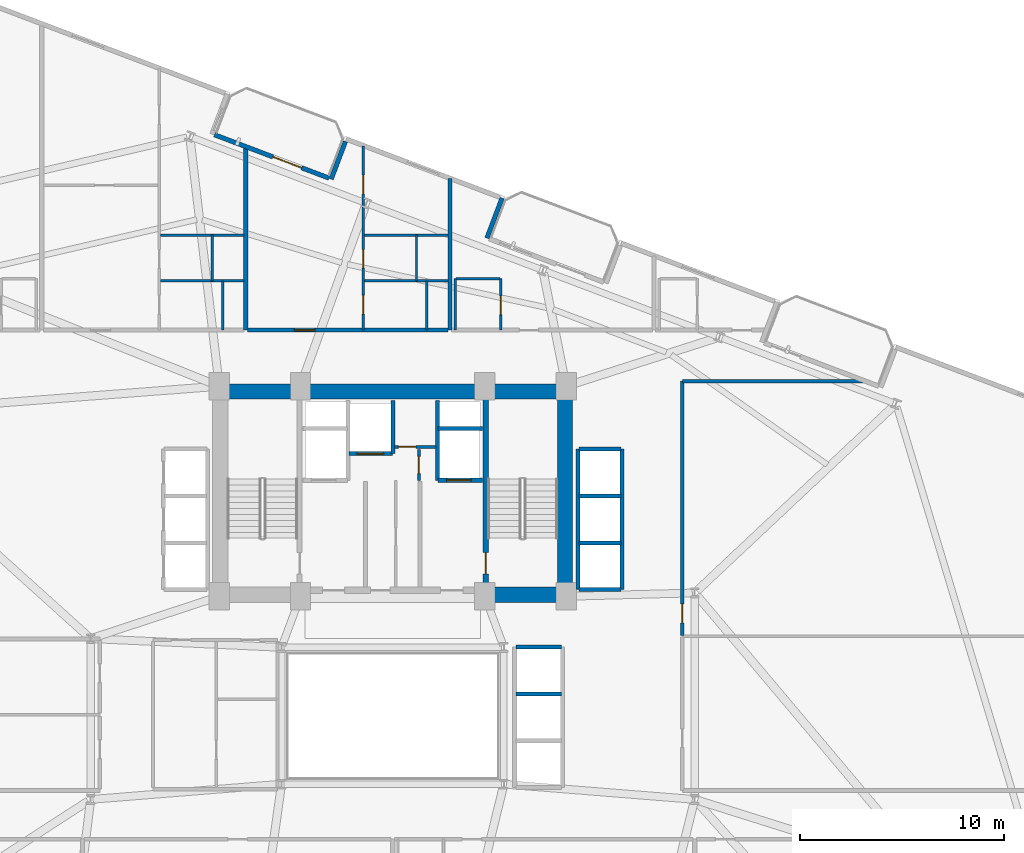
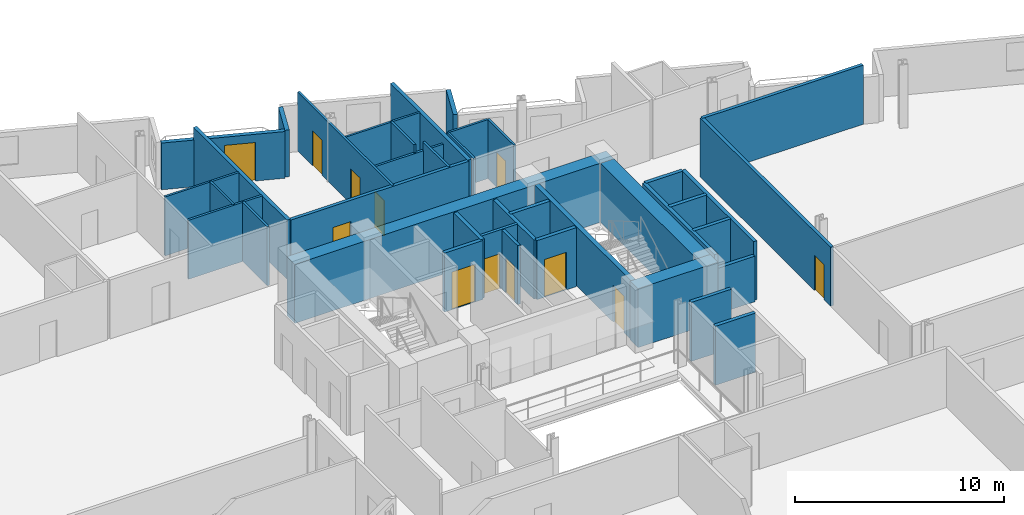
# One storey, part 19 of 24: 39 walls, 12 doors, 12 openings.
"""IFC4 building model written with IfcOpenShell, lengths in metres."""

from ifc_helpers import new_model, si_unit, direction, frame, frame_2d, origin, place, context, subcontext, project, spatial, rectangle, extrude, material, layer, layer_set, type_object, element, fill, save


model = new_model("IFC4")

# Units and contexts
model_context = context("Model", 3, precision=1e-05, world=origin(), true_north=direction((0.0, 1.0)))
body_context = subcontext(model_context, "Body", "Model", "MODEL_VIEW")
ifc_project = project(units=[si_unit("LENGTHUNIT", "METRE"), si_unit("AREAUNIT", "SQUARE_METRE"), si_unit("VOLUMEUNIT", "CUBIC_METRE"), si_unit("PLANEANGLEUNIT", "RADIAN"), si_unit("MASSUNIT", "GRAM", prefix="KILO")], contexts=[model_context])

# Site, building, storey
site_placement = place(None, origin())
site = spatial("IfcSite", under=ifc_project, at=site_placement, CompositionType="ELEMENT")
building_placement = place(site_placement, origin())
building = spatial("IfcBuilding", under=site, at=building_placement, Name="Varnelok Gate Tower", CompositionType="ELEMENT")
storey_placement = place(building_placement, frame((0.0, 0.0, 102.10009765625)))
storey = spatial("IfcBuildingStorey", under=building, at=storey_placement, Name="L25", CompositionType="ELEMENT", Elevation=102.10009765625)

# Wall, opening, door
ifc_material_1 = material(Name="Concrete C45/55", Category="concrete")
ifc_layer_1 = layer(ifc_material_1, 0.219970703125)
ifc_layer_set_1 = layer_set([ifc_layer_1], Name="Concrete C45/55")
wall_type_1 = type_object("IfcWallType", Name="EW-BALC-220", PredefinedType="SOLIDWALL", material=ifc_layer_set_1)
wall_1_placement = place(storey_placement, frame((30.465087890625, 51.37158203125, 0.0), z_axis=(0.0, 0.0, 1.0), x_axis=(0.935227640088, -0.354046976001, 0.0)))
wall_1 = element("IfcWall", 1, at=wall_1_placement, inside=storey, type_object=wall_type_1, Name="L25 North Terrace Envelope Wall 4", PredefinedType="SOLIDWALL", context=body_context, shape_type="SweptSolid", body=[
    extrude(rectangle(XDim=6.0, YDim=0.219970703125, at=frame_2d((3.0, 0.0))), origin(), (0.0, 0.0, 1.0), 2.72998046875),
])
opening_1_placement = place(wall_1_placement, frame((3.064208984375, 0.0, 0.0)))
opening_1 = element("IfcOpeningElement", 2, at=opening_1_placement, cuts=wall_1, Name="Opening BD-1", PredefinedType="OPENING", context=body_context, shape_type="SweptSolid", body=[
    extrude(rectangle(XDim=1.5, YDim=2.25, at=frame_2d((0.75, 1.125))), frame((0.0, 0.119873046875, 0.0), z_axis=(0.0, -1.0, 0.0), x_axis=(1.0, 0.0, 0.0)), (0.0, 0.0, 1.0), 0.239990234375),
])
ifc_material_2 = material(Name="Anodized Aluminum Alloy 6063-T6", Category="aluminium")
door_type_1 = type_object("IfcDoorType", Name="DR-EXT-BALC1500", OperationType="NOTDEFINED", PredefinedType="DOOR", material=ifc_material_2)
door_1_placement = place(opening_1_placement, origin())
door_1 = element("IfcDoor", 3, at=door_1_placement, inside=storey, type_object=door_type_1, Name="L25 North Balcony Glazed Door 4", OperationType="SINGLE_SWING_LEFT", OverallHeight=2.25, OverallWidth=1.5, PredefinedType="DOOR", context=body_context, shape_type="SweptSolid", body=[
    extrude(rectangle(XDim=1.5, YDim=2.25, at=frame_2d((0.75, 1.125))), frame((0.0, 0.02490234375, 0.0), z_axis=(0.0, -1.0, 0.0), x_axis=(1.0, 0.0, 0.0)), (0.0, 0.0, 1.0), 0.050048828125),
])
fill(opening_1, door_1)

# Walls
wall_2_placement = place(storey_placement, frame((43.816650390625, 46.30615234375, 0.0), z_axis=(0.0, 0.0, 1.0), x_axis=(0.353988291547, 0.935249854022, 0.0)))
element("IfcWall", 4, at=wall_2_placement, inside=storey, type_object=wall_type_1, Name="L25 Perimeter Facade Closure Wall 34", PredefinedType="SOLIDWALL", context=body_context, shape_type="SweptSolid", body=[
    extrude(rectangle(XDim=2.10009765625, YDim=0.219970703125, at=frame_2d((1.050048828125, 0.0))), origin(), (0.0, 0.0, 1.0), 2.72998046875),
])
wall_3_placement = place(storey_placement, frame((36.884521484375, 51.04248046875, 0.0), z_axis=(0.0, 0.0, 1.0), x_axis=(-0.354128791944, -0.935196663123, 0.0)))
element("IfcWall", 5, at=wall_3_placement, inside=storey, type_object=wall_type_1, Name="L25 Perimeter Facade Closure Wall 36", PredefinedType="SOLIDWALL", context=body_context, shape_type="SweptSolid", body=[
    extrude(rectangle(XDim=1.97509765625, YDim=0.219970703125, at=frame_2d((0.987548828125, 0.0))), origin(), (0.0, 0.0, 1.0), 2.72998046875),
])

# Wall, opening, door
ifc_material_3 = material(Name="Gypsum Plasterboard Acoustic Partition", Category="gypsum")
ifc_layer_2 = layer(ifc_material_3, 0.179931640625)
ifc_layer_set_2 = layer_set([ifc_layer_2], Name="Gypsum Plasterboard Acoustic Partition")
wall_type_2 = type_object("IfcWallType", Name="PW-CORR-180", PredefinedType="PARTITIONING", material=ifc_layer_set_2)
wall_4_placement = place(storey_placement, frame((32.080078125, 41.800048828125, 0.0), z_axis=(0.0, 0.0, 1.0), x_axis=(1.0, 0.0, 0.0)))
wall_4 = element("IfcWall", 6, at=wall_4_placement, inside=storey, type_object=wall_type_2, Name="Interior Partition", PredefinedType="PARTITIONING", context=body_context, shape_type="SweptSolid", body=[
    extrude(rectangle(XDim=9.83984375, YDim=0.179931640625, at=frame_2d((4.919921875, 0.0))), origin(), (0.0, 0.0, 1.0), 3.449951171875),
])
opening_2_placement = place(wall_4_placement, frame((2.302490234375, 0.0, 0.0)))
opening_2 = element("IfcOpeningElement", 7, at=opening_2_placement, cuts=wall_4, Name="Opening D-AP", PredefinedType="OPENING", context=body_context, shape_type="SweptSolid", body=[
    extrude(rectangle(XDim=1.0, YDim=2.199951171875, at=frame_2d((0.5, 1.10009765625))), frame((0.0, 0.099853515625, 0.0), z_axis=(0.0, -1.0, 0.0), x_axis=(1.0, 0.0, 0.0)), (0.0, 0.0, 1.0), 0.199951171875),
])
ifc_material_4 = material(Name="Engineered Hardwood Timber", Category="wood")
door_type_2 = type_object("IfcDoorType", Name="DR-APT-1000", OperationType="NOTDEFINED", PredefinedType="DOOR", material=ifc_material_4)
door_2_placement = place(opening_2_placement, origin())
door_2 = element("IfcDoor", 8, at=door_2_placement, inside=storey, type_object=door_type_2, Name="L25 North Apartment 7 Entrance Door", OperationType="SINGLE_SWING_LEFT", OverallHeight=2.199951171875, OverallWidth=1.0, PredefinedType="DOOR", context=body_context, shape_type="SweptSolid", body=[
    extrude(rectangle(XDim=1.0, YDim=2.199951171875, at=frame_2d((0.5, 1.10009765625))), frame((0.0, 0.02490234375, 0.0), z_axis=(0.0, -1.0, 0.0), x_axis=(1.0, 0.0, 0.0)), (0.0, 0.0, 1.0), 0.050048828125),
])
fill(opening_2, door_2)

wall_5_placement = place(storey_placement, frame((53.389892578125, 26.840087890625, 0.0), z_axis=(0.0, 0.0, 1.0), x_axis=(0.0, 1.0, 0.0)))
wall_5 = element("IfcWall", 9, at=wall_5_placement, inside=storey, type_object=wall_type_2, Name="Interior Partition", PredefinedType="PARTITIONING", context=body_context, shape_type="SweptSolid", body=[
    extrude(rectangle(XDim=12.4599609375, YDim=0.179931640625, at=frame_2d((6.22998046875, 0.0))), origin(), (0.0, 0.0, 1.0), 3.449951171875),
])
opening_3_placement = place(wall_5_placement, frame((0.6181640625, 0.0, 0.0)))
opening_3 = element("IfcOpeningElement", 10, at=opening_3_placement, cuts=wall_5, Name="Opening D-I3", PredefinedType="OPENING", context=body_context, shape_type="SweptSolid", body=[
    extrude(rectangle(XDim=0.919921875, YDim=2.050048828125, at=frame_2d((0.4599609375, 1.02490234375))), frame((0.0, 0.099853515625, 0.0), z_axis=(0.0, -1.0, 0.0), x_axis=(1.0, 0.0, 0.0)), (0.0, 0.0, 1.0), 0.199951171875),
])
door_type_3 = type_object("IfcDoorType", Name="DR-INT-920", OperationType="NOTDEFINED", PredefinedType="DOOR", material=ifc_material_4)
door_3_placement = place(opening_3_placement, origin())
door_3 = element("IfcDoor", 11, at=door_3_placement, inside=storey, type_object=door_type_3, Name="L25 East Playroom Door", OperationType="SINGLE_SWING_LEFT", OverallHeight=2.050048828125, OverallWidth=0.919921875, PredefinedType="DOOR", context=body_context, shape_type="SweptSolid", body=[
    extrude(rectangle(XDim=0.919921875, YDim=2.050048828125, at=frame_2d((0.4599609375, 1.02490234375))), frame((0.0, 0.02490234375, 0.0), z_axis=(0.0, -1.0, 0.0), x_axis=(1.0, 0.0, 0.0)), (0.0, 0.0, 1.0), 0.050048828125),
])
fill(opening_3, door_3)

# Walls
wall_6_placement = place(storey_placement, frame((53.389892578125, 39.300048828125, 0.0), z_axis=(0.0, 0.0, 1.0), x_axis=(1.0, 0.0, 0.0)))
element("IfcWall", 12, at=wall_6_placement, inside=storey, type_object=wall_type_2, Name="Interior Partition", PredefinedType="PARTITIONING", context=body_context, shape_type="SweptSolid", body=[
    extrude(rectangle(XDim=8.87646484375, YDim=0.179931640625, at=frame_2d((4.438232421875, 0.0))), origin(), (0.0, 0.0, 1.0), 3.449951171875),
])
ifc_layer_3 = layer(ifc_material_3, 0.114990234375)
ifc_layer_set_3 = layer_set([ifc_layer_3], Name="Gypsum Plasterboard Acoustic Partition")
wall_type_3 = type_object("IfcWallType", Name="PW-ENS-125", PredefinedType="PARTITIONING", material=ifc_layer_set_3)
wall_7_placement = place(storey_placement, frame((27.8251953125, 46.449951171875, 0.0), z_axis=(0.0, 0.0, 1.0), x_axis=(1.0, 0.0, 0.0)))
element("IfcWall", 13, at=wall_7_placement, inside=storey, type_object=wall_type_3, Name="Interior Partition", PredefinedType="PARTITIONING", context=body_context, shape_type="SweptSolid", body=[
    extrude(rectangle(XDim=4.0947265625, YDim=0.114990234375, at=frame_2d((2.04736328125, 0.0))), origin(), (0.0, 0.0, 1.0), 3.449951171875),
])
wall_8_placement = place(storey_placement, frame((30.365234375, 44.2099609375, 0.0), z_axis=(0.0, 0.0, 1.0), x_axis=(0.0, 1.0, 0.0)))
element("IfcWall", 14, at=wall_8_placement, inside=storey, type_object=wall_type_3, Name="Interior Partition", PredefinedType="PARTITIONING", context=body_context, shape_type="SweptSolid", body=[
    extrude(rectangle(XDim=2.239990234375, YDim=0.114990234375, at=frame_2d((1.1201171875, 0.0))), origin(), (0.0, 0.0, 1.0), 3.449951171875),
])
wall_9_placement = place(storey_placement, frame((37.8251953125, 46.449951171875, 0.0), z_axis=(0.0, 0.0, 1.0), x_axis=(1.0, 0.0, 0.0)))
element("IfcWall", 15, at=wall_9_placement, inside=storey, type_object=wall_type_3, Name="Interior Partition", PredefinedType="PARTITIONING", context=body_context, shape_type="SweptSolid", body=[
    extrude(rectangle(XDim=4.0947265625, YDim=0.114990234375, at=frame_2d((2.04736328125, 0.0))), origin(), (0.0, 0.0, 1.0), 3.449951171875),
])
wall_10_placement = place(storey_placement, frame((40.365234375, 44.2099609375, 0.0), z_axis=(0.0, 0.0, 1.0), x_axis=(0.0, 1.0, 0.0)))
element("IfcWall", 16, at=wall_10_placement, inside=storey, type_object=wall_type_3, Name="Interior Partition", PredefinedType="PARTITIONING", context=body_context, shape_type="SweptSolid", body=[
    extrude(rectangle(XDim=2.239990234375, YDim=0.114990234375, at=frame_2d((1.1201171875, 0.0))), origin(), (0.0, 0.0, 1.0), 3.449951171875),
])
wall_11_placement = place(storey_placement, frame((42.300048828125, 44.320068359375, 0.0), z_axis=(0.0, 0.0, 1.0), x_axis=(1.0, 0.0, 0.0)))
element("IfcWall", 17, at=wall_11_placement, inside=storey, type_object=wall_type_3, Name="Interior Partition", PredefinedType="PARTITIONING", context=body_context, shape_type="SweptSolid", body=[
    extrude(rectangle(XDim=2.14990234375, YDim=0.114990234375, at=frame_2d((1.074951171875, 0.0))), origin(), (0.0, 0.0, 1.0), 3.449951171875),
])

# Wall, opening, door
wall_12_placement = place(storey_placement, frame((44.489990234375, 41.800048828125, 0.0), z_axis=(0.0, 0.0, 1.0), x_axis=(0.0, 1.0, 0.0)))
wall_12 = element("IfcWall", 18, at=wall_12_placement, inside=storey, type_object=wall_type_3, Name="Interior Partition", PredefinedType="PARTITIONING", context=body_context, shape_type="SweptSolid", body=[
    extrude(rectangle(XDim=2.52001953125, YDim=0.114990234375, at=frame_2d((1.260009765625, 0.0))), origin(), (0.0, 0.0, 1.0), 3.449951171875),
])
opening_4_placement = place(wall_12_placement, frame((0.760009765625, 0.0, 0.0)))
opening_4 = element("IfcOpeningElement", 19, at=opening_4_placement, cuts=wall_12, Name="Opening D-WC", PredefinedType="OPENING", context=body_context, shape_type="SweptSolid", body=[
    extrude(rectangle(XDim=0.89990234375, YDim=2.050048828125, at=frame_2d((0.449951171875, 1.02490234375))), frame((0.0, 0.0673828125, 0.0), z_axis=(0.0, -1.0, 0.0), x_axis=(1.0, 0.0, 0.0)), (0.0, 0.0, 1.0), 0.135009765625),
])
door_type_4 = type_object("IfcDoorType", Name="DR-BATH-900", OperationType="NOTDEFINED", PredefinedType="DOOR", material=ifc_material_4)
door_4_placement = place(opening_4_placement, origin())
door_4 = element("IfcDoor", 20, at=door_4_placement, inside=storey, type_object=door_type_4, Name="L25 North En-Suite 08 Door", OperationType="SINGLE_SWING_RIGHT", OverallHeight=2.050048828125, OverallWidth=0.89990234375, PredefinedType="DOOR", context=body_context, shape_type="SweptSolid", body=[
    extrude(rectangle(XDim=0.89990234375, YDim=2.050048828125, at=frame_2d((0.449951171875, 1.02490234375))), frame((0.0, 0.02490234375, 0.0), z_axis=(0.0, -1.0, 0.0), x_axis=(1.0, 0.0, 0.0)), (0.0, 0.0, 1.0), 0.050048828125),
])
fill(opening_4, door_4)

# Walls
wall_13_placement = place(storey_placement, frame((42.260009765625, 41.800048828125, 0.0), z_axis=(0.0, 0.0, 1.0), x_axis=(0.0, 1.0, 0.0)))
element("IfcWall", 21, at=wall_13_placement, inside=storey, type_object=wall_type_3, Name="Interior Partition", PredefinedType="PARTITIONING", context=body_context, shape_type="SweptSolid", body=[
    extrude(rectangle(XDim=2.52001953125, YDim=0.114990234375, at=frame_2d((1.260009765625, 0.0))), origin(), (0.0, 0.0, 1.0), 3.449951171875),
])
ifc_layer_4 = layer(ifc_material_3, 0.125)
ifc_layer_set_4 = layer_set([ifc_layer_4], Name="Gypsum Plasterboard Acoustic Partition")
wall_type_4 = type_object("IfcWallType", Name="PW-PART-125", PredefinedType="PARTITIONING", material=ifc_layer_set_4)
wall_14_placement = place(storey_placement, frame((27.8251953125, 44.2099609375, 0.0), z_axis=(0.0, 0.0, 1.0), x_axis=(1.0, 0.0, 0.0)))
element("IfcWall", 22, at=wall_14_placement, inside=storey, type_object=wall_type_4, Name="Interior Partition", PredefinedType="PARTITIONING", context=body_context, shape_type="SweptSolid", body=[
    extrude(rectangle(XDim=4.0947265625, YDim=0.125, at=frame_2d((2.04736328125, 0.0))), origin(), (0.0, 0.0, 1.0), 3.449951171875),
])
wall_15_placement = place(storey_placement, frame((30.865234375, 41.800048828125, 0.0), z_axis=(0.0, 0.0, 1.0), x_axis=(0.0, 1.0, 0.0)))
element("IfcWall", 23, at=wall_15_placement, inside=storey, type_object=wall_type_4, Name="Interior Partition", PredefinedType="PARTITIONING", context=body_context, shape_type="SweptSolid", body=[
    extrude(rectangle(XDim=2.409912109375, YDim=0.125, at=frame_2d((1.205078125, 0.0))), origin(), (0.0, 0.0, 1.0), 3.449951171875),
])

# Wall, openings, doors
wall_16_placement = place(storey_placement, frame((37.755126953125, 41.800048828125, 0.0), z_axis=(0.0, 0.0, 1.0), x_axis=(0.0, 1.0, 0.0)))
wall_16 = element("IfcWall", 24, at=wall_16_placement, inside=storey, type_object=wall_type_4, Name="Interior Partition", PredefinedType="PARTITIONING", context=body_context, shape_type="SweptSolid", body=[
    extrude(rectangle(XDim=9.02490234375, YDim=0.125, at=frame_2d((4.512451171875, 0.0))), origin(), (0.0, 0.0, 1.0), 3.449951171875),
])
opening_5_placement = place(wall_16_placement, frame((0.785400390625, 0.0, 0.0)))
opening_5 = element("IfcOpeningElement", 25, at=opening_5_placement, cuts=wall_16, Name="Opening D-I3", PredefinedType="OPENING", context=body_context, shape_type="SweptSolid", body=[
    extrude(rectangle(XDim=0.919921875, YDim=2.050048828125, at=frame_2d((0.4599609375, 1.02490234375))), frame((0.0, 0.072509765625, 0.0), z_axis=(0.0, -1.0, 0.0), x_axis=(1.0, 0.0, 0.0)), (0.0, 0.0, 1.0), 0.14501953125),
])
opening_6_placement = place(wall_16_placement, frame((3.037353515625, 0.0, 0.0)))
opening_6 = element("IfcOpeningElement", 26, at=opening_6_placement, cuts=wall_16, Name="Opening D-WC", PredefinedType="OPENING", context=body_context, shape_type="SweptSolid", body=[
    extrude(rectangle(XDim=0.89990234375, YDim=2.050048828125, at=frame_2d((0.449951171875, 1.02490234375))), frame((0.0, 0.072509765625, 0.0), z_axis=(0.0, -1.0, 0.0), x_axis=(1.0, 0.0, 0.0)), (0.0, 0.0, 1.0), 0.14501953125),
])
opening_7_placement = place(wall_16_placement, frame((6.677978515625, 0.0, 0.0)))
opening_7 = element("IfcOpeningElement", 27, at=opening_7_placement, cuts=wall_16, Name="Opening D-I3", PredefinedType="OPENING", context=body_context, shape_type="SweptSolid", body=[
    extrude(rectangle(XDim=0.919921875, YDim=2.050048828125, at=frame_2d((0.4599609375, 1.02490234375))), frame((0.0, 0.072509765625, 0.0), z_axis=(0.0, -1.0, 0.0), x_axis=(1.0, 0.0, 0.0)), (0.0, 0.0, 1.0), 0.14501953125),
])
door_5_placement = place(opening_6_placement, origin())
door_5 = element("IfcDoor", 28, at=door_5_placement, inside=storey, type_object=door_type_4, Name="L25 North Apt 7 Bathroom Door", OperationType="SINGLE_SWING_RIGHT", OverallHeight=2.050048828125, OverallWidth=0.89990234375, PredefinedType="DOOR", context=body_context, shape_type="SweptSolid", body=[
    extrude(rectangle(XDim=0.89990234375, YDim=2.050048828125, at=frame_2d((0.449951171875, 1.02490234375))), frame((0.0, 0.02490234375, 0.0), z_axis=(0.0, -1.0, 0.0), x_axis=(1.0, 0.0, 0.0)), (0.0, 0.0, 1.0), 0.050048828125),
])
fill(opening_6, door_5)
door_6_placement = place(opening_5_placement, origin())
door_6 = element("IfcDoor", 29, at=door_6_placement, inside=storey, type_object=door_type_3, Name="L25 North Apt 7 Kitchen Door", OperationType="SINGLE_SWING_LEFT", OverallHeight=2.050048828125, OverallWidth=0.919921875, PredefinedType="DOOR", context=body_context, shape_type="SweptSolid", body=[
    extrude(rectangle(XDim=0.919921875, YDim=2.050048828125, at=frame_2d((0.4599609375, 1.02490234375))), frame((0.0, 0.02490234375, 0.0), z_axis=(0.0, -1.0, 0.0), x_axis=(1.0, 0.0, 0.0)), (0.0, 0.0, 1.0), 0.050048828125),
])
fill(opening_5, door_6)
door_7_placement = place(opening_7_placement, origin())
door_7 = element("IfcDoor", 30, at=door_7_placement, inside=storey, type_object=door_type_3, Name="L25 North Apt 7 Bedroom Door", OperationType="SINGLE_SWING_LEFT", OverallHeight=2.050048828125, OverallWidth=0.919921875, PredefinedType="DOOR", context=body_context, shape_type="SweptSolid", body=[
    extrude(rectangle(XDim=0.919921875, YDim=2.050048828125, at=frame_2d((0.4599609375, 1.02490234375))), frame((0.0, 0.02490234375, 0.0), z_axis=(0.0, -1.0, 0.0), x_axis=(1.0, 0.0, 0.0)), (0.0, 0.0, 1.0), 0.050048828125),
])
fill(opening_7, door_7)

# Walls
wall_17_placement = place(storey_placement, frame((37.8251953125, 44.2099609375, 0.0), z_axis=(0.0, 0.0, 1.0), x_axis=(1.0, 0.0, 0.0)))
element("IfcWall", 31, at=wall_17_placement, inside=storey, type_object=wall_type_4, Name="Interior Partition", PredefinedType="PARTITIONING", context=body_context, shape_type="SweptSolid", body=[
    extrude(rectangle(XDim=4.0947265625, YDim=0.125, at=frame_2d((2.04736328125, 0.0))), origin(), (0.0, 0.0, 1.0), 2.971923828125),
])
wall_18_placement = place(storey_placement, frame((40.865234375, 41.800048828125, 0.0), z_axis=(0.0, 0.0, 1.0), x_axis=(0.0, 1.0, 0.0)))
element("IfcWall", 32, at=wall_18_placement, inside=storey, type_object=wall_type_4, Name="Interior Partition", PredefinedType="PARTITIONING", context=body_context, shape_type="SweptSolid", body=[
    extrude(rectangle(XDim=2.409912109375, YDim=0.125, at=frame_2d((1.205078125, 0.0))), origin(), (0.0, 0.0, 1.0), 3.449951171875),
])

# Wall, opening, door
ifc_layer_5 = layer(ifc_material_3, 0.14990234375)
ifc_layer_set_5 = layer_set([ifc_layer_5], Name="Gypsum Plasterboard Acoustic Partition")
wall_type_5 = type_object("IfcWallType", Name="PW-PART-150", PredefinedType="PARTITIONING", material=ifc_layer_set_5)
wall_19_placement = place(storey_placement, frame((39.300048828125, 36.080078125, 0.0), z_axis=(0.0, 0.0, 1.0), x_axis=(1.0, 0.0, 0.0)))
wall_19 = element("IfcWall", 33, at=wall_19_placement, inside=storey, type_object=wall_type_5, Name="L25 Electrical Closet South Wall", PredefinedType="PARTITIONING", context=body_context, shape_type="SweptSolid", body=[
    extrude(rectangle(XDim=2.02001953125, YDim=0.14990234375, at=frame_2d((1.010009765625, 0.0))), origin(), (0.0, 0.0, 1.0), 3.449951171875),
])
opening_8_placement = place(wall_19_placement, frame((0.179931640625, 0.0, 0.0)))
opening_8 = element("IfcOpeningElement", 34, at=opening_8_placement, cuts=wall_19, Name="Opening D-RS", PredefinedType="OPENING", context=body_context, shape_type="SweptSolid", body=[
    extrude(rectangle(XDim=0.85009765625, YDim=2.050048828125, at=frame_2d((0.425048828125, 1.02490234375))), frame((0.0, 0.0849609375, 0.0), z_axis=(0.0, -1.0, 0.0), x_axis=(1.0, 0.0, 0.0)), (0.0, 0.0, 1.0), 0.169921875),
])
ifc_material_5 = material(Name="Galvanized Steel Grade S350GD", Category="steel")
door_type_5 = type_object("IfcDoorType", Name="DR-RISER-850", OperationType="NOTDEFINED", PredefinedType="DOOR", material=ifc_material_5)
door_8_placement = place(opening_8_placement, origin())
door_8 = element("IfcDoor", 35, at=door_8_placement, inside=storey, type_object=door_type_5, Name="L25 Electrical Closet Door", OperationType="SINGLE_SWING_RIGHT", OverallHeight=2.050048828125, OverallWidth=0.85009765625, PredefinedType="DOOR", context=body_context, shape_type="SweptSolid", body=[
    extrude(rectangle(XDim=0.85009765625, YDim=2.050048828125, at=frame_2d((0.425048828125, 1.02490234375))), frame((0.0, 0.02490234375, 0.0), z_axis=(0.0, -1.0, 0.0), x_axis=(1.0, 0.0, 0.0)), (0.0, 0.0, 1.0), 0.050048828125),
])
fill(opening_8, door_8)

wall_20_placement = place(storey_placement, frame((40.47998046875, 34.43994140625, 0.0), z_axis=(0.0, 0.0, 1.0), x_axis=(0.0, 1.0, 0.0)))
wall_20 = element("IfcWall", 36, at=wall_20_placement, inside=storey, type_object=wall_type_5, Name="L25 Telecoms Closet West Wall", PredefinedType="PARTITIONING", context=body_context, shape_type="SweptSolid", body=[
    extrude(rectangle(XDim=1.52001953125, YDim=0.14990234375, at=frame_2d((0.760009765625, 0.0))), origin(), (0.0, 0.0, 1.0), 3.449951171875),
])
opening_9_placement = place(wall_20_placement, frame((0.320068359375, 0.0, 0.0)))
opening_9 = element("IfcOpeningElement", 37, at=opening_9_placement, cuts=wall_20, Name="Opening D-RS", PredefinedType="OPENING", context=body_context, shape_type="SweptSolid", body=[
    extrude(rectangle(XDim=0.85009765625, YDim=2.050048828125, at=frame_2d((0.425048828125, 1.02490234375))), frame((0.0, 0.0849609375, 0.0), z_axis=(0.0, -1.0, 0.0), x_axis=(1.0, 0.0, 0.0)), (0.0, 0.0, 1.0), 0.169921875),
])
door_9_placement = place(opening_9_placement, origin())
door_9 = element("IfcDoor", 38, at=door_9_placement, inside=storey, type_object=door_type_5, Name="L25 Telecoms Closet Door", OperationType="SINGLE_SWING_LEFT", OverallHeight=2.050048828125, OverallWidth=0.85009765625, PredefinedType="DOOR", context=body_context, shape_type="SweptSolid", body=[
    extrude(rectangle(XDim=0.85009765625, YDim=2.050048828125, at=frame_2d((0.425048828125, 1.02490234375))), frame((0.0, 0.02490234375, 0.0), z_axis=(0.0, -1.0, 0.0), x_axis=(1.0, 0.0, 0.0)), (0.0, 0.0, 1.0), 0.050048828125),
])
fill(opening_9, door_9)

# Walls
ifc_layer_6 = layer(ifc_material_3, 0.205078125)
ifc_layer_set_6 = layer_set([ifc_layer_6], Name="Gypsum Plasterboard Acoustic Partition")
wall_type_6 = type_object("IfcWallType", Name="PW-PARTY-200", PredefinedType="PARTITIONING", material=ifc_layer_set_6)
wall_21_placement = place(storey_placement, frame((32.0, 41.800048828125, 0.0), z_axis=(0.0, 0.0, 1.0), x_axis=(0.0, 1.0, 0.0)))
element("IfcWall", 39, at=wall_21_placement, inside=storey, type_object=wall_type_6, Name="L25 North Party Wall 2", PredefinedType="PARTITIONING", context=body_context, shape_type="SweptSolid", body=[
    extrude(rectangle(XDim=8.958251953125, YDim=0.205078125, at=frame_2d((4.47900390625, 0.0))), origin(), (0.0, 0.0, 1.0), 3.449951171875),
])
wall_22_placement = place(storey_placement, frame((42.0, 41.800048828125, 0.0), z_axis=(0.0, 0.0, 1.0), x_axis=(0.0, 1.0, 0.0)))
element("IfcWall", 40, at=wall_22_placement, inside=storey, type_object=wall_type_6, Name="L25 North Party Wall 3", PredefinedType="PARTITIONING", context=body_context, shape_type="SweptSolid", body=[
    extrude(rectangle(XDim=7.41796875, YDim=0.205078125, at=frame_2d((3.708984375, 0.0))), origin(), (0.0, 0.0, 1.0), 3.449951171875),
])

# Wall, opening, door
ifc_material_6 = material(Name="Concrete C35/45", Category="concrete")
ifc_layer_7 = layer(ifc_material_6, 0.199951171875)
ifc_layer_set_7 = layer_set([ifc_layer_7], Name="Concrete C35/45")
wall_type_7 = type_object("IfcWallType", Name="PW-SHAFT-200", PredefinedType="PARTITIONING", material=ifc_layer_set_7)
wall_23_placement = place(storey_placement, frame((41.419921875, 34.43994140625, 0.0), z_axis=(0.0, 0.0, 1.0), x_axis=(1.0, 0.0, 0.0)))
wall_23 = element("IfcWall", 41, at=wall_23_placement, inside=storey, type_object=wall_type_7, Name="L25 FF2 Shaft Front Wall", PredefinedType="PARTITIONING", context=body_context, shape_type="SweptSolid", body=[
    extrude(rectangle(XDim=2.18017578125, YDim=0.199951171875, at=frame_2d((1.090087890625, 0.0))), origin(), (0.0, 0.0, 1.0), 3.449951171875),
])
opening_10_placement = place(wall_23_placement, frame((0.419921875, 0.0, 0.0)))
opening_10 = element("IfcOpeningElement", 42, at=opening_10_placement, cuts=wall_23, Name="Opening LD-FF2", PredefinedType="OPENING", context=body_context, shape_type="SweptSolid", body=[
    extrude(rectangle(XDim=1.199951171875, YDim=2.199951171875, at=frame_2d((0.60009765625, 1.10009765625))), frame((0.0, 0.10986328125, 0.0), z_axis=(0.0, -1.0, 0.0), x_axis=(1.0, 0.0, 0.0)), (0.0, 0.0, 1.0), 0.219970703125),
])
door_type_6 = type_object("IfcDoorType", Name="DR-LIFT-FF1200", OperationType="SLIDING_TO_LEFT", PredefinedType="DOOR", material=ifc_material_5)
door_10_placement = place(opening_10_placement, origin())
door_10 = element("IfcDoor", 43, at=door_10_placement, inside=storey, type_object=door_type_6, Name="L25 Firefighting Lift Landing Door LD-FF2", OperationType="SLIDING_TO_LEFT", OverallHeight=2.199951171875, OverallWidth=1.199951171875, PredefinedType="DOOR", context=body_context, shape_type="SweptSolid", body=[
    extrude(rectangle(XDim=1.199951171875, YDim=2.199951171875, at=frame_2d((0.60009765625, 1.10009765625))), frame((0.0, 0.02490234375, 0.0), z_axis=(0.0, -1.0, 0.0), x_axis=(1.0, 0.0, 0.0)), (0.0, 0.0, 1.0), 0.050048828125),
])
fill(opening_10, door_10)

# Walls
wall_24_placement = place(storey_placement, frame((41.419921875, 36.97998046875, 0.0), z_axis=(0.0, 0.0, 1.0), x_axis=(1.0, 0.0, 0.0)))
element("IfcWall", 44, at=wall_24_placement, inside=storey, type_object=wall_type_7, Name="L25 FF2 Shaft North Wall", PredefinedType="PARTITIONING", context=body_context, shape_type="SweptSolid", body=[
    extrude(rectangle(XDim=2.18017578125, YDim=0.199951171875, at=frame_2d((1.090087890625, 0.0))), origin(), (0.0, 0.0, 1.0), 3.449951171875),
])
wall_25_placement = place(storey_placement, frame((41.39990234375, 34.43994140625, 0.0), z_axis=(0.0, 0.0, 1.0), x_axis=(0.0, 1.0, 0.0)))
element("IfcWall", 45, at=wall_25_placement, inside=storey, type_object=wall_type_7, Name="L25 FF2 Shaft Side Wall", PredefinedType="PARTITIONING", context=body_context, shape_type="SweptSolid", body=[
    extrude(rectangle(XDim=3.900146484375, YDim=0.199951171875, at=frame_2d((1.9501953125, 0.0))), origin(), (0.0, 0.0, 1.0), 3.449951171875),
])

# Wall, opening, door
wall_26_placement = place(storey_placement, frame((37.06005859375, 35.75, 0.0), z_axis=(0.0, 0.0, 1.0), x_axis=(1.0, 0.0, 0.0)))
wall_26 = element("IfcWall", 46, at=wall_26_placement, inside=storey, type_object=wall_type_7, Name="L25 SV1 Shaft Front Wall", PredefinedType="PARTITIONING", context=body_context, shape_type="SweptSolid", body=[
    extrude(rectangle(XDim=2.119873046875, YDim=0.199951171875, at=frame_2d((1.06005859375, 0.0))), origin(), (0.0, 0.0, 1.0), 3.449951171875),
])
opening_11_placement = place(wall_26_placement, frame((0.39990234375, 0.0, 0.0)))
opening_11 = element("IfcOpeningElement", 47, at=opening_11_placement, cuts=wall_26, Name="Opening LD-SV1", PredefinedType="OPENING", context=body_context, shape_type="SweptSolid", body=[
    extrude(rectangle(XDim=1.300048828125, YDim=2.199951171875, at=frame_2d((0.64990234375, 1.10009765625))), frame((0.0, 0.10986328125, 0.0), z_axis=(0.0, -1.0, 0.0), x_axis=(1.0, 0.0, 0.0)), (0.0, 0.0, 1.0), 0.219970703125),
])
door_type_7 = type_object("IfcDoorType", Name="DR-LIFT-SV1300", OperationType="SLIDING_TO_LEFT", PredefinedType="DOOR", material=ifc_material_5)
door_11_placement = place(opening_11_placement, origin())
door_11 = element("IfcDoor", 48, at=door_11_placement, inside=storey, type_object=door_type_7, Name="L25 Service Lift Landing Door LD-SV1", OperationType="SLIDING_TO_LEFT", OverallHeight=2.199951171875, OverallWidth=1.300048828125, PredefinedType="DOOR", context=body_context, shape_type="SweptSolid", body=[
    extrude(rectangle(XDim=1.300048828125, YDim=2.199951171875, at=frame_2d((0.64990234375, 1.10009765625))), frame((0.0, 0.02490234375, 0.0), z_axis=(0.0, -1.0, 0.0), x_axis=(1.0, 0.0, 0.0)), (0.0, 0.0, 1.0), 0.050048828125),
])
fill(opening_11, door_11)

# Walls
wall_27_placement = place(storey_placement, frame((39.219970703125, 35.75, 0.0), z_axis=(0.0, 0.0, 1.0), x_axis=(0.0, 1.0, 0.0)))
element("IfcWall", 49, at=wall_27_placement, inside=storey, type_object=wall_type_7, Name="L25 SV1 Shaft East Wall", PredefinedType="PARTITIONING", context=body_context, shape_type="SweptSolid", body=[
    extrude(rectangle(XDim=2.590087890625, YDim=0.199951171875, at=frame_2d((1.294921875, 0.0))), origin(), (0.0, 0.0, 1.0), 3.449951171875),
])
for number, where, z_axis, x_axis, name in (
    (50, (48.320068359375, 31.375, 0.0), (0.0, 0.0, 1.0), (1.0, 0.0, 0.0), "L25 PM1 Divider"),
    (51, (48.320068359375, 33.675048828125, 0.0), (0.0, 0.0, 1.0), (1.0, 0.0, 0.0), "L25 PM2 Divider"),
):
    element("IfcWall", number, at=place(storey_placement, frame(where, z_axis=z_axis, x_axis=x_axis)), inside=storey, type_object=wall_type_7, Name=name, PredefinedType="PARTITIONING", context=body_context, shape_type="SweptSolid", body=[
        extrude(rectangle(XDim=2.059814453125, YDim=0.199951171875, at=frame_2d((1.02978515625, 0.0))), origin(), (0.0, 0.0, 1.0), 3.449951171875),
    ])
wall_28_placement = place(storey_placement, frame((48.320068359375, 29.080078125, 0.0), z_axis=(0.0, 0.0, 1.0), x_axis=(1.0, 0.0, 0.0)))
element("IfcWall", 52, at=wall_28_placement, inside=storey, type_object=wall_type_7, Name="L25 PM Bank South Wall", PredefinedType="PARTITIONING", context=body_context, shape_type="SweptSolid", body=[
    extrude(rectangle(XDim=2.059814453125, YDim=0.199951171875, at=frame_2d((1.02978515625, 0.0))), origin(), (0.0, 0.0, 1.0), 2.661865234375),
])
wall_29_placement = place(storey_placement, frame((48.320068359375, 35.969970703125, 0.0), z_axis=(0.0, 0.0, 1.0), x_axis=(1.0, 0.0, 0.0)))
element("IfcWall", 53, at=wall_29_placement, inside=storey, type_object=wall_type_7, Name="L25 PM Bank North Wall", PredefinedType="PARTITIONING", context=body_context, shape_type="SweptSolid", body=[
    extrude(rectangle(XDim=2.059814453125, YDim=0.199951171875, at=frame_2d((1.02978515625, 0.0))), origin(), (0.0, 0.0, 1.0), 3.449951171875),
])
for number, where, z_axis, x_axis, name in (
    (54, (48.280029296875, 29.080078125, 0.0), (0.0, 0.0, 1.0), (0.0, 1.0, 0.0), "L25 PM Bank Back Wall"),
    (55, (50.43994140625, 29.080078125, 0.0), (0.0, 0.0, 1.0), (0.0, 1.0, 0.0), "L25 PM Bank Front Wall"),
):
    element("IfcWall", number, at=place(storey_placement, frame(where, z_axis=z_axis, x_axis=x_axis)), inside=storey, type_object=wall_type_7, Name=name, PredefinedType="PARTITIONING", context=body_context, shape_type="SweptSolid", body=[
        extrude(rectangle(XDim=6.889892578125, YDim=0.199951171875, at=frame_2d((3.44482421875, 0.0))), origin(), (0.0, 0.0, 1.0), 3.449951171875),
    ])
for number, where, z_axis, x_axis, name in (
    (56, (45.239990234375, 23.97509765625, 0.0), (0.0, 0.0, 1.0), (1.0, 0.0, 0.0), "L25 PH2 Divider"),
    (57, (45.239990234375, 26.280029296875, 0.0), (0.0, 0.0, 1.0), (1.0, 0.0, 0.0), "L25 PH Bank North Wall"),
):
    element("IfcWall", number, at=place(storey_placement, frame(where, z_axis=z_axis, x_axis=x_axis)), inside=storey, type_object=wall_type_7, Name=name, PredefinedType="PARTITIONING", context=body_context, shape_type="SweptSolid", body=[
        extrude(rectangle(XDim=2.219970703125, YDim=0.199951171875, at=frame_2d((1.10986328125, 0.0))), origin(), (0.0, 0.0, 1.0), 3.449951171875),
    ])
ifc_material_7 = material(Name="Concrete C70/85", Category="concrete")
ifc_layer_8 = layer(ifc_material_7, 0.75)
ifc_layer_set_8 = layer_set([ifc_layer_8], Name="Concrete C70/85")
wall_type_8 = type_object("IfcWallType", Name="SW-CORE-750", PredefinedType="SHEAR", material=ifc_layer_set_8)
wall_30_placement = place(storey_placement, frame((30.3798828125, 38.794921875, 0.0), z_axis=(0.0, 0.0, 1.0), x_axis=(1.0, 0.0, 0.0)))
element("IfcWall", 58, at=wall_30_placement, inside=storey, type_object=wall_type_8, Name="L25 Rear Core North Shear Wall", PredefinedType="SHEAR", context=body_context, shape_type="SweptSolid", body=[
    extrude(rectangle(XDim=17.64013671875, YDim=0.75, at=frame_2d((8.820068359375, 0.0))), origin(), (0.0, 0.0, 1.0), 3.449951171875),
])
wall_31_placement = place(storey_placement, frame((47.64501953125, 29.199951171875, 0.0), z_axis=(0.0, 0.0, 1.0), x_axis=(0.0, 1.0, 0.0)))
element("IfcWall", 59, at=wall_31_placement, inside=storey, type_object=wall_type_8, Name="L25 Rear Core East Shear Wall", PredefinedType="SHEAR", context=body_context, shape_type="SweptSolid", body=[
    extrude(rectangle(XDim=9.219970703125, YDim=0.75, at=frame_2d((4.60986328125, 0.0))), origin(), (0.0, 0.0, 1.0), 3.449951171875),
])
wall_32_placement = place(storey_placement, frame((43.60009765625, 28.824951171875, 0.0), z_axis=(0.0, 0.0, 1.0), x_axis=(1.0, 0.0, 0.0)))
element("IfcWall", 60, at=wall_32_placement, inside=storey, type_object=wall_type_8, Name="L25 Rear Core South-East Shear Wall", PredefinedType="SHEAR", context=body_context, shape_type="SweptSolid", body=[
    extrude(rectangle(XDim=4.419921875, YDim=0.75, at=frame_2d((2.2099609375, 0.0))), origin(), (0.0, 0.0, 1.0), 3.449951171875),
])

# Wall, opening, door
ifc_material_8 = material(Name="Concrete C60/75", Category="concrete")
ifc_layer_9 = layer(ifc_material_8, 0.25)
ifc_layer_set_9 = layer_set([ifc_layer_9], Name="Concrete C60/75")
wall_type_9 = type_object("IfcWallType", Name="SW-SHAFT-250", PredefinedType="SHEAR", material=ifc_layer_set_9)
wall_33_placement = place(storey_placement, frame((43.760009765625, 29.199951171875, 0.0), z_axis=(0.0, 0.0, 1.0), x_axis=(0.0, 1.0, 0.0)))
wall_33 = element("IfcWall", 61, at=wall_33_placement, inside=storey, type_object=wall_type_9, Name="L25 Stair ST-2 West Shear Wall", PredefinedType="SHEAR", context=body_context, shape_type="SweptSolid", body=[
    extrude(rectangle(XDim=9.219970703125, YDim=0.25, at=frame_2d((4.60986328125, 0.0))), origin(), (0.0, 0.0, 1.0), 3.449951171875),
])
opening_12_placement = place(wall_33_placement, frame((0.64990234375, 0.0, 0.0)))
opening_12 = element("IfcOpeningElement", 62, at=opening_12_placement, cuts=wall_33, Name="Opening D-ST", PredefinedType="OPENING", context=body_context, shape_type="SweptSolid", body=[
    extrude(rectangle(XDim=1.050048828125, YDim=2.14990234375, at=frame_2d((0.52490234375, 1.074951171875))), frame((0.0, 0.135009765625, 0.0), z_axis=(0.0, -1.0, 0.0), x_axis=(1.0, 0.0, 0.0)), (0.0, 0.0, 1.0), 0.27001953125),
])
door_type_8 = type_object("IfcDoorType", Name="DR-STAIR-1050", OperationType="NOTDEFINED", PredefinedType="DOOR", material=ifc_material_5)
door_12_placement = place(opening_12_placement, origin())
door_12 = element("IfcDoor", 63, at=door_12_placement, inside=storey, type_object=door_type_8, Name="L25 Exit Stair ST-2 Fire Door", OperationType="SINGLE_SWING_RIGHT", OverallHeight=2.14990234375, OverallWidth=1.050048828125, PredefinedType="DOOR", context=body_context, shape_type="SweptSolid", body=[
    extrude(rectangle(XDim=1.050048828125, YDim=2.14990234375, at=frame_2d((0.52490234375, 1.074951171875))), frame((0.0, 0.02490234375, 0.0), z_axis=(0.0, -1.0, 0.0), x_axis=(1.0, 0.0, 0.0)), (0.0, 0.0, 1.0), 0.050048828125),
])
fill(opening_12, door_12)

save(model, "model.ifc")
